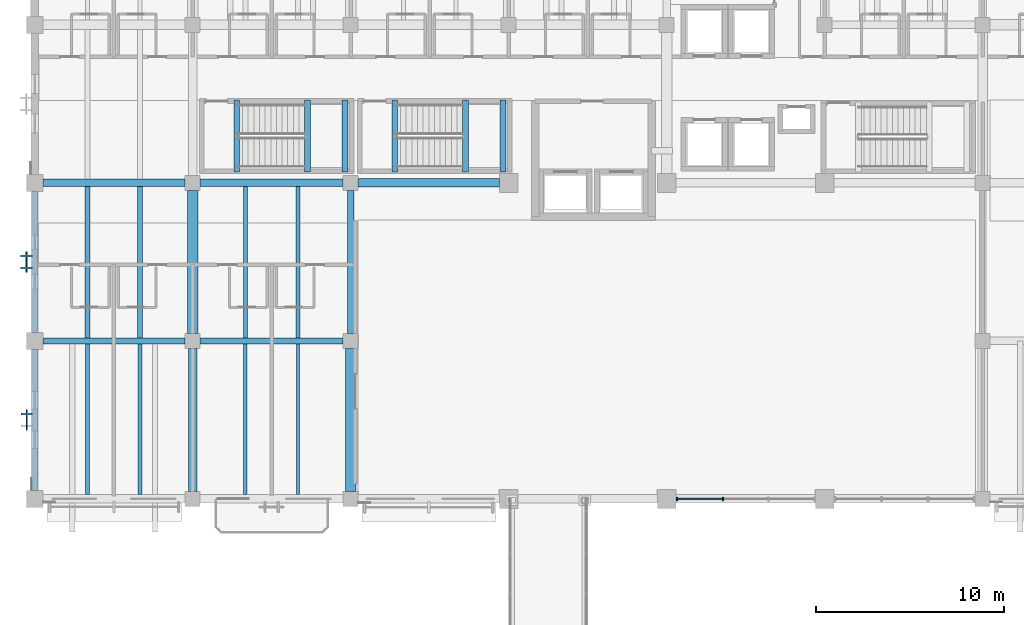
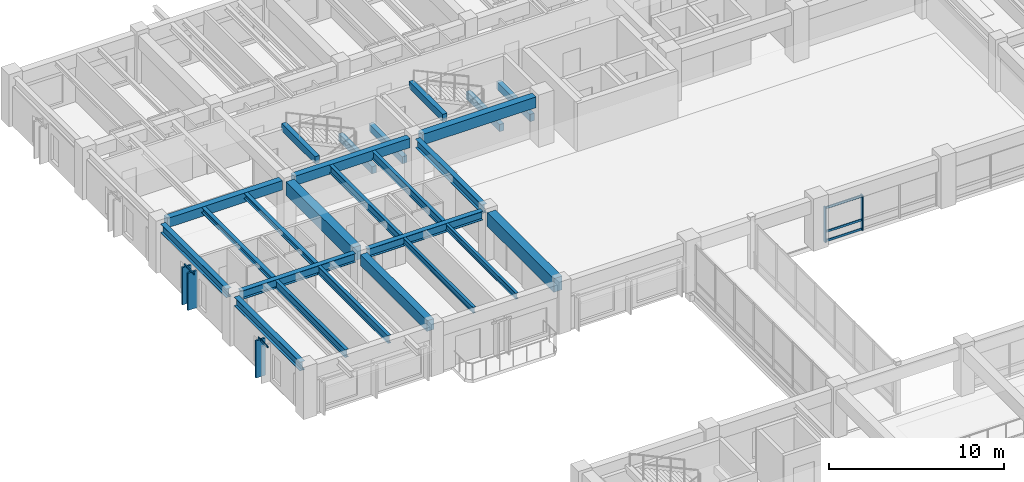
# One storey, part 29 of 118: 25 beams, 10 members, 3 elements without a shape of their own.
"""IFC4 building model written with IfcOpenShell, lengths in metres."""

from ifc_helpers import new_model, si_unit, direction, frame, origin, origin_2d, place, context, subcontext, project, spatial, rectangle, i_section, extrude, material, material_profile, profile_set, type_object, element, aggregate, save


model = new_model("IFC4")

# Units and contexts
model_context = context("Model", 3, precision=1e-05, world=origin(), true_north=direction((0.0, 1.0)))
body_context = subcontext(model_context, "Body", "Model", "MODEL_VIEW")
ifc_project = project(units=[si_unit("LENGTHUNIT", "METRE"), si_unit("AREAUNIT", "SQUARE_METRE"), si_unit("VOLUMEUNIT", "CUBIC_METRE"), si_unit("PLANEANGLEUNIT", "RADIAN"), si_unit("MASSUNIT", "GRAM", prefix="KILO")], contexts=[model_context])

# Site, building, storey
site_placement = place(None, origin())
site = spatial("IfcSite", under=ifc_project, at=site_placement, CompositionType="ELEMENT")
building_placement = place(site_placement, origin())
building = spatial("IfcBuilding", under=site, at=building_placement, Name="Cumbredor Promenade Congress Hotel", CompositionType="ELEMENT")
storey_placement = place(building_placement, frame((0.0, 0.0, 3.919921875)))
storey = spatial("IfcBuildingStorey", under=building, at=storey_placement, Name="L01", CompositionType="ELEMENT", Elevation=3.919921875)

# Beams
ifc_material_1 = material(Name="Concrete C40/50", Category="concrete")
ifc_material_profile_1 = material_profile(ifc_material_1, rectangle(XDim=0.39990234375, YDim=0.64990234375, at=origin_2d()), Name="RC BEAM 400x650")
ifc_profile_set_1 = profile_set([ifc_material_profile_1], Name="Concrete C40/50")
beam_type_1 = type_object("IfcBeamType", Name="BM-RC-400x650", PredefinedType="BEAM", material=ifc_profile_set_1)
beam_1_placement = place(storey_placement, frame((0.449951171875, 100.800048828125, 3.03515625), z_axis=(1.0, 0.0, 0.0), x_axis=(0.0, 1.0, 0.0)))
element("IfcBeam", 1, at=beam_1_placement, inside=storey, type_object=beam_type_1, Name="L02 X-Grid Beam 005", PredefinedType="BEAM", context=body_context, shape_type="SweptSolid", body=[
    extrude(rectangle(XDim=0.39990234375, YDim=0.64990234375, at=origin_2d()), origin(), (0.0, 0.0, 1.0), 7.550048828125),
])
beam_2_placement = place(storey_placement, frame((8.800048828125, 100.800048828125, 3.03515625), z_axis=(1.0, 0.0, 0.0), x_axis=(0.0, 1.0, 0.0)))
element("IfcBeam", 2, at=beam_2_placement, inside=storey, type_object=beam_type_1, Name="L02 X-Grid Beam 029", PredefinedType="BEAM", context=body_context, shape_type="SweptSolid", body=[
    extrude(rectangle(XDim=0.39990234375, YDim=0.64990234375, at=origin_2d()), origin(), (0.0, 0.0, 1.0), 7.599853515625),
])
ifc_material_profile_2 = material_profile(ifc_material_1, rectangle(XDim=0.449951171875, YDim=0.75, at=origin_2d()), Name="RC BEAM 450x750")
ifc_profile_set_2 = profile_set([ifc_material_profile_2], Name="Concrete C40/50")
beam_type_2 = type_object("IfcBeamType", Name="BM-RC-450x750", PredefinedType="BEAM", material=ifc_profile_set_2)
beam_3_placement = place(storey_placement, frame((8.39990234375, 84.39990234375, 2.985107421875), z_axis=(0.0, 1.0, 0.0), x_axis=(-1.0, 0.0, 0.0)))
element("IfcBeam", 3, at=beam_3_placement, inside=storey, type_object=beam_type_2, Name="L02 Y-Grid Beam 026", PredefinedType="BEAM", context=body_context, shape_type="SweptSolid", body=[
    extrude(rectangle(XDim=0.449951171875, YDim=0.75, at=origin_2d()), origin(), (0.0, 0.0, 1.0), 7.60009765625),
])
beam_4_placement = place(storey_placement, frame((17.199951171875, 100.800048828125, 2.985107421875), z_axis=(1.0, 0.0, 0.0), x_axis=(0.0, 1.0, 0.0)))
element("IfcBeam", 4, at=beam_4_placement, inside=storey, type_object=beam_type_2, Name="L02 X-Grid Beam 046", PredefinedType="BEAM", context=body_context, shape_type="SweptSolid", body=[
    extrude(rectangle(XDim=0.449951171875, YDim=0.75, at=origin_2d()), origin(), (0.0, 0.0, 1.0), 7.5),
])
ifc_material_profile_3 = material_profile(ifc_material_1, rectangle(XDim=0.550048828125, YDim=0.949951171875, at=origin_2d()), Name="RC BEAM 550x950")
ifc_profile_set_3 = profile_set([ifc_material_profile_3], Name="Concrete C40/50")
beam_type_3 = type_object("IfcBeamType", Name="BM-RC-550x950", PredefinedType="BEAM", material=ifc_profile_set_3)
beam_5_placement = place(storey_placement, frame((8.39990234375, 92.800048828125, 2.885009765625), z_axis=(0.0, 1.0, 0.0), x_axis=(-1.0, 0.0, 0.0)))
element("IfcBeam", 5, at=beam_5_placement, inside=storey, type_object=beam_type_3, Name="L02 Y-Grid Beam 028", PredefinedType="BEAM", context=body_context, shape_type="SweptSolid", body=[
    extrude(rectangle(XDim=0.550048828125, YDim=0.949951171875, at=origin_2d()), origin(), (0.0, 0.0, 1.0), 7.599853515625),
])
beam_6_placement = place(storey_placement, frame((16.800048828125, 84.39990234375, 2.885009765625), z_axis=(0.0, 1.0, 0.0), x_axis=(-1.0, 0.0, 0.0)))
element("IfcBeam", 6, at=beam_6_placement, inside=storey, type_object=beam_type_3, Name="L02 Y-Grid Beam 044", PredefinedType="BEAM", context=body_context, shape_type="SweptSolid", body=[
    extrude(rectangle(XDim=0.550048828125, YDim=0.949951171875, at=origin_2d()), origin(), (0.0, 0.0, 1.0), 7.60009765625),
])
ifc_material_2 = material(Name="Steel ASTM A992 Grade 50", Category="steel")
ifc_material_profile_4 = material_profile(ifc_material_2, i_section(OverallWidth=0.323974609375, OverallDepth=0.611083984375, WebThickness=0.0126953125, FlangeThickness=0.01904296875, at=origin_2d()), Name="W24X104")
ifc_profile_set_4 = profile_set([ifc_material_profile_4], Name="Steel ASTM A992 Grade 50")
beam_type_4 = type_object("IfcBeamType", Name="BM-W24X104", PredefinedType="BEAM", material=ifc_profile_set_4)
beam_7_placement = place(storey_placement, frame((0.449951171875, 92.39990234375, 3.0546875), z_axis=(1.0, 0.0, 0.0), x_axis=(0.0, 1.0, 0.0)))
element("IfcBeam", 7, at=beam_7_placement, inside=storey, type_object=beam_type_4, Name="L02 X-Grid Beam 003", PredefinedType="BEAM", context=body_context, shape_type="SweptSolid", body=[
    extrude(i_section(OverallWidth=0.323974609375, OverallDepth=0.611083984375, WebThickness=0.0126953125, FlangeThickness=0.01904296875, at=origin_2d()), origin(), (0.0, 0.0, 1.0), 7.550048828125),
])
beam_8_placement = place(storey_placement, frame((8.800048828125, 92.39990234375, 3.0546875), z_axis=(1.0, 0.0, 0.0), x_axis=(0.0, 1.0, 0.0)))
element("IfcBeam", 8, at=beam_8_placement, inside=storey, type_object=beam_type_4, Name="L02 X-Grid Beam 027", PredefinedType="BEAM", context=body_context, shape_type="SweptSolid", body=[
    extrude(i_section(OverallWidth=0.323974609375, OverallDepth=0.611083984375, WebThickness=0.0126953125, FlangeThickness=0.01904296875, at=origin_2d()), origin(), (0.0, 0.0, 1.0), 7.599853515625),
])

# Curtain wall, members
ifc_material_3 = material(Name="Thermally broken anodized aluminium and low-E glass", Category="aluminium")
curtain_wall_type_1 = type_object("IfcCurtainWallType", Name="Unitised Bronze Curtain Wall CW-01", PredefinedType="NOTDEFINED", material=ifc_material_3)
curtain_wall_1_placement = place(storey_placement, origin())
curtain_wall_1 = element("IfcCurtainWall", 9, at=curtain_wall_1_placement, inside=storey, type_object=curtain_wall_type_1, Name="L01 Stepped Congress Hotel Wing South Curtain Wall 5", PredefinedType="NOTDEFINED")
ifc_material_4 = material(Name="Thermally broken anodized aluminium", Category="aluminium")
ifc_material_profile_5 = material_profile(ifc_material_4, rectangle(XDim=0.074951171875, YDim=0.199951171875, at=origin_2d()), Name="ALU MULLION 75x200")
ifc_profile_set_5 = profile_set([ifc_material_profile_5], Name="Thermally broken anodized aluminium")
member_type_1 = type_object("IfcMemberType", Name="Curtain Wall Mullion ML-02", PredefinedType="MULLION", material=ifc_profile_set_5)
member_1_placement = place(storey_placement, frame((34.155029296875, 84.0, -0.0078125), z_axis=(0.0, 0.0, 1.0), x_axis=(1.0, 0.0, 0.0)))
member_1 = element("IfcMember", 10, at=member_1_placement, type_object=member_type_1, Name="L01 Stepped Congress Hotel Wing South Curtain Wall 5 Mullion 1", PredefinedType="MULLION", context=body_context, shape_type="SweptSolid", body=[
    extrude(rectangle(XDim=0.074951171875, YDim=0.199951171875, at=origin_2d()), origin(), (0.0, 0.0, 1.0), 2.4609375),
])
member_2_placement = place(storey_placement, frame((36.5849609375, 84.0, -0.0078125), z_axis=(0.0, 0.0, 1.0), x_axis=(1.0, 0.0, 0.0)))
member_2 = element("IfcMember", 11, at=member_2_placement, type_object=member_type_1, Name="L01 Stepped Congress Hotel Wing South Curtain Wall 5 Mullion 2", PredefinedType="MULLION", context=body_context, shape_type="SweptSolid", body=[
    extrude(rectangle(XDim=0.074951171875, YDim=0.199951171875, at=origin_2d()), origin(), (0.0, 0.0, 1.0), 2.4609375),
])

# Curtain wall, member
curtain_wall_type_2 = type_object("IfcCurtainWallType", Name="Solar Brise-Soleil Screen Assembly CW-07", PredefinedType="NOTDEFINED", material=ifc_material_3)
curtain_wall_2_placement = place(storey_placement, origin())
curtain_wall_2 = element("IfcCurtainWall", 12, at=curtain_wall_2_placement, inside=storey, type_object=curtain_wall_type_2, Name="L01 Pier Brise-Soleil Screen 0331", PredefinedType="NOTDEFINED")
ifc_material_profile_6 = material_profile(ifc_material_4, rectangle(XDim=0.06494140625, YDim=0.1298828125, at=origin_2d()), Name="ALU TRANSOM 65x130")
ifc_profile_set_6 = profile_set([ifc_material_profile_6], Name="Thermally broken anodized aluminium")
member_type_2 = type_object("IfcMemberType", Name="Curtain Wall Transom TR-01", PredefinedType="USERDEFINED", material=ifc_profile_set_6)
member_3_placement = place(storey_placement, frame((-0.422607421875, 87.64990234375, 2.573974609375), z_axis=(0.0, 1.0, 0.0), x_axis=(-1.0, 0.0, 0.0)))
member_3 = element("IfcMember", 13, at=member_3_placement, type_object=member_type_2, Name="L01 Pier Brise-Soleil Header 0333", ObjectType="TRANSOM", PredefinedType="USERDEFINED", context=body_context, shape_type="SweptSolid", body=[
    extrude(rectangle(XDim=0.06494140625, YDim=0.1298828125, at=origin_2d()), origin(), (0.0, 0.0, 1.0), 1.10009765625),
])

curtain_wall_3_placement = place(storey_placement, origin())
curtain_wall_3 = element("IfcCurtainWall", 14, at=curtain_wall_3_placement, inside=storey, type_object=curtain_wall_type_2, Name="L01 Pier Brise-Soleil Screen 0334", PredefinedType="NOTDEFINED")
member_4_placement = place(storey_placement, frame((-0.43505859375, 96.050048828125, 2.573974609375), z_axis=(0.0, 1.0, 0.0), x_axis=(-1.0, 0.0, 0.0)))
member_4 = element("IfcMember", 15, at=member_4_placement, type_object=member_type_2, Name="L01 Pier Brise-Soleil Header 0336", ObjectType="TRANSOM", PredefinedType="USERDEFINED", context=body_context, shape_type="SweptSolid", body=[
    extrude(rectangle(XDim=0.06494140625, YDim=0.1298828125, at=origin_2d()), origin(), (0.0, 0.0, 1.0), 1.099853515625),
])

# Member
ifc_material_profile_7 = material_profile(ifc_material_4, rectangle(XDim=0.074951171875, YDim=0.14990234375, at=origin_2d()), Name="ALU TRANSOM 75x150")
ifc_profile_set_7 = profile_set([ifc_material_profile_7], Name="Thermally broken anodized aluminium")
member_type_3 = type_object("IfcMemberType", Name="Curtain Wall Transom TR-02", PredefinedType="USERDEFINED", material=ifc_profile_set_7)
member_5_placement = place(storey_placement, frame((34.1923828125, 84.0, 0.080078125), z_axis=(1.0, 0.0, 0.0), x_axis=(0.0, 1.0, 0.0)))
member_5 = element("IfcMember", 16, at=member_5_placement, type_object=member_type_3, Name="L01 Stepped Congress Hotel Wing South Curtain Wall 5 Transom 1.1", ObjectType="TRANSOM", PredefinedType="USERDEFINED", context=body_context, shape_type="SweptSolid", body=[
    extrude(rectangle(XDim=0.074951171875, YDim=0.14990234375, at=origin_2d()), origin(), (0.0, 0.0, 1.0), 2.355224609375),
])

member_6_placement = place(storey_placement, frame((34.1923828125, 84.0, 0.719970703125), z_axis=(1.0, 0.0, 0.0), x_axis=(0.0, 1.0, 0.0)))
member_6 = element("IfcMember", 17, at=member_6_placement, type_object=member_type_3, Name="L01 Stepped Congress Hotel Wing South Curtain Wall 5 Transom 1.2", ObjectType="TRANSOM", PredefinedType="USERDEFINED", context=body_context, shape_type="SweptSolid", body=[
    extrude(rectangle(XDim=0.074951171875, YDim=0.14990234375, at=origin_2d()), origin(), (0.0, 0.0, 1.0), 2.355224609375),
])

member_7_placement = place(storey_placement, frame((34.1923828125, 84.0, 2.3701171875), z_axis=(1.0, 0.0, 0.0), x_axis=(0.0, 1.0, 0.0)))
member_7 = element("IfcMember", 18, at=member_7_placement, type_object=member_type_3, Name="L01 Stepped Congress Hotel Wing South Curtain Wall 5 Transom 1.3", ObjectType="TRANSOM", PredefinedType="USERDEFINED", context=body_context, shape_type="SweptSolid", body=[
    extrude(rectangle(XDim=0.074951171875, YDim=0.14990234375, at=origin_2d()), origin(), (0.0, 0.0, 1.0), 2.355224609375),
])

aggregate(curtain_wall_1, [member_1, member_2, member_5, member_6, member_7])

# Beams
ifc_material_profile_8 = material_profile(ifc_material_2, i_section(OverallWidth=0.2548828125, OverallDepth=0.35693359375, WebThickness=0.010498046875, FlangeThickness=0.018310546875, at=origin_2d()), Name="W14X68")
ifc_profile_set_8 = profile_set([ifc_material_profile_8], Name="Steel ASTM A992 Grade 50")
beam_type_5 = type_object("IfcBeamType", Name="JST-W14X68", PredefinedType="JOIST", material=ifc_profile_set_8)
for number, where, z_axis, x_axis, name in (
    (19, (2.800048828125, 92.56201171875, 3.181640625), (0.0, 1.0, 0.0), (-1.0, 0.0, 0.0), "L02 Secondary Floor Joist 0003"),
    (20, (5.60009765625, 92.56201171875, 3.181640625), (0.0, 1.0, 0.0), (-1.0, 0.0, 0.0), "L02 Secondary Floor Joist 0004"),
):
    element("IfcBeam", number, at=place(storey_placement, frame(where, z_axis=z_axis, x_axis=x_axis)), inside=storey, type_object=beam_type_5, Name=name, PredefinedType="JOIST", context=body_context, shape_type="SweptSolid", body=[
        extrude(i_section(OverallWidth=0.2548828125, OverallDepth=0.35693359375, WebThickness=0.010498046875, FlangeThickness=0.018310546875, at=origin_2d()), origin(), (0.0, 0.0, 1.0), 8.0380859375),
    ])
ifc_material_profile_9 = material_profile(ifc_material_2, i_section(OverallWidth=0.180908203125, OverallDepth=0.4169921875, WebThickness=0.010986328125, FlangeThickness=0.018310546875, at=origin_2d()), Name="W16X57")
ifc_profile_set_9 = profile_set([ifc_material_profile_9], Name="Steel ASTM A992 Grade 50")
beam_type_6 = type_object("IfcBeamType", Name="JST-W16X57", PredefinedType="JOIST", material=ifc_profile_set_9)
for number, where, z_axis, x_axis, name in (
    (21, (11.199951171875, 84.22509765625, 3.151611328125), (0.0, 1.0, 0.0), (-1.0, 0.0, 0.0), "L02 Secondary Floor Joist 0019"),
    (22, (14.0, 84.22509765625, 3.151611328125), (0.0, 1.0, 0.0), (-1.0, 0.0, 0.0), "L02 Secondary Floor Joist 0020"),
):
    element("IfcBeam", number, at=place(storey_placement, frame(where, z_axis=z_axis, x_axis=x_axis)), inside=storey, type_object=beam_type_6, Name=name, PredefinedType="JOIST", context=body_context, shape_type="SweptSolid", body=[
        extrude(i_section(OverallWidth=0.180908203125, OverallDepth=0.4169921875, WebThickness=0.010986328125, FlangeThickness=0.018310546875, at=origin_2d()), origin(), (0.0, 0.0, 1.0), 8.012939453125),
    ])
ifc_material_profile_10 = material_profile(ifc_material_2, i_section(OverallWidth=0.214111328125, OverallDepth=0.549072265625, WebThickness=0.0146484375, FlangeThickness=0.023681640625, at=origin_2d()), Name="W21X93")
ifc_profile_set_10 = profile_set([ifc_material_profile_10], Name="Steel ASTM A992 Grade 50")
beam_type_7 = type_object("IfcBeamType", Name="JST-W21X93", PredefinedType="JOIST", material=ifc_profile_set_10)
for number, where, z_axis, x_axis, name in (
    (23, (2.800048828125, 84.22509765625, 3.085693359375), (0.0, 1.0, 0.0), (-1.0, 0.0, 0.0), "L02 Secondary Floor Joist 0001"),
    (24, (5.60009765625, 84.22509765625, 3.085693359375), (0.0, 1.0, 0.0), (-1.0, 0.0, 0.0), "L02 Secondary Floor Joist 0002"),
):
    element("IfcBeam", number, at=place(storey_placement, frame(where, z_axis=z_axis, x_axis=x_axis)), inside=storey, type_object=beam_type_7, Name=name, PredefinedType="JOIST", context=body_context, shape_type="SweptSolid", body=[
        extrude(i_section(OverallWidth=0.214111328125, OverallDepth=0.549072265625, WebThickness=0.0146484375, FlangeThickness=0.023681640625, at=origin_2d()), origin(), (0.0, 0.0, 1.0), 8.012939453125),
    ])
for number, where, z_axis, x_axis, name in (
    (25, (11.199951171875, 92.56201171875, 3.085693359375), (0.0, 1.0, 0.0), (-1.0, 0.0, 0.0), "L02 Secondary Floor Joist 0021"),
    (26, (14.0, 92.56201171875, 3.085693359375), (0.0, 1.0, 0.0), (-1.0, 0.0, 0.0), "L02 Secondary Floor Joist 0022"),
):
    element("IfcBeam", number, at=place(storey_placement, frame(where, z_axis=z_axis, x_axis=x_axis)), inside=storey, type_object=beam_type_7, Name=name, PredefinedType="JOIST", context=body_context, shape_type="SweptSolid", body=[
        extrude(i_section(OverallWidth=0.214111328125, OverallDepth=0.549072265625, WebThickness=0.0146484375, FlangeThickness=0.023681640625, at=origin_2d()), origin(), (0.0, 0.0, 1.0), 8.0380859375),
    ])
ifc_material_profile_11 = material_profile(ifc_material_1, rectangle(XDim=0.300048828125, YDim=0.5, at=origin_2d()), Name="RC LINTEL 300x500")
ifc_profile_set_11 = profile_set([ifc_material_profile_11], Name="Concrete C40/50")
beam_type_8 = type_object("IfcBeamType", Name="LN-RC-300x500", PredefinedType="LINTEL", material=ifc_profile_set_11)
for number, where, z_axis, x_axis, name in (
    (27, (16.5, 101.3701171875, 1.3701171875), (0.0, 1.0, 0.0), (-1.0, 0.0, 0.0), "L01 Stair ST-01 Landing Ledger Beam E"),
    (28, (14.5, 101.3701171875, 1.3701171875), (0.0, 1.0, 0.0), (-1.0, 0.0, 0.0), "L01 Stair ST-01 Landing Ledger Beam W"),
    (29, (10.75, 101.3701171875, 3.39013671875), (0.0, 1.0, 0.0), (-1.0, 0.0, 0.0), "L02 Stair ST-01 Well Header Trimmer Beam"),
    (30, (24.89990234375, 101.3701171875, 1.3701171875), (0.0, 1.0, 0.0), (-1.0, 0.0, 0.0), "L01 Stair ST-02 Landing Ledger Beam E"),
    (31, (22.89990234375, 101.3701171875, 1.3701171875), (0.0, 1.0, 0.0), (-1.0, 0.0, 0.0), "L01 Stair ST-02 Landing Ledger Beam W"),
    (32, (19.14990234375, 101.3701171875, 3.39013671875), (0.0, 1.0, 0.0), (-1.0, 0.0, 0.0), "L02 Stair ST-02 Well Header Trimmer Beam"),
):
    element("IfcBeam", number, at=place(storey_placement, frame(where, z_axis=z_axis, x_axis=x_axis)), inside=storey, type_object=beam_type_8, Name=name, PredefinedType="LINTEL", context=body_context, shape_type="SweptSolid", body=[
        extrude(rectangle(XDim=0.300048828125, YDim=0.5, at=origin_2d()), origin(), (0.0, 0.0, 1.0), 3.829833984375),
    ])
ifc_material_profile_12 = material_profile(ifc_material_2, i_section(OverallWidth=0.323974609375, OverallDepth=0.611083984375, WebThickness=0.0126953125, FlangeThickness=0.01904296875, at=origin_2d()), Name="W24X104")
ifc_profile_set_12 = profile_set([ifc_material_profile_12], Name="Steel ASTM A992 Grade 50")
beam_type_9 = type_object("IfcBeamType", Name="SP-W24X104", PredefinedType="SPANDREL", material=ifc_profile_set_12)
for number, where, z_axis, x_axis, name in (
    (33, (0.0, 84.449951171875, 3.0546875), (0.0, 1.0, 0.0), (-1.0, 0.0, 0.0), "L02 Y-Grid Beam 002"),
    (34, (0.0, 92.85009765625, 3.0546875), (0.0, 1.0, 0.0), (-1.0, 0.0, 0.0), "L02 Y-Grid Beam 004"),
):
    element("IfcBeam", number, at=place(storey_placement, frame(where, z_axis=z_axis, x_axis=x_axis)), inside=storey, type_object=beam_type_9, Name=name, PredefinedType="SPANDREL", context=body_context, shape_type="SweptSolid", body=[
        extrude(i_section(OverallWidth=0.323974609375, OverallDepth=0.611083984375, WebThickness=0.0126953125, FlangeThickness=0.01904296875, at=origin_2d()), origin(), (0.0, 0.0, 1.0), 7.5),
    ])
beam_9_placement = place(storey_placement, frame((16.800048828125, 92.800048828125, 3.0546875), z_axis=(0.0, 1.0, 0.0), x_axis=(-1.0, 0.0, 0.0)))
element("IfcBeam", 35, at=beam_9_placement, inside=storey, type_object=beam_type_9, Name="L02 Y-Grid Beam 045", PredefinedType="SPANDREL", context=body_context, shape_type="SweptSolid", body=[
    extrude(i_section(OverallWidth=0.323974609375, OverallDepth=0.611083984375, WebThickness=0.0126953125, FlangeThickness=0.01904296875, at=origin_2d()), origin(), (0.0, 0.0, 1.0), 7.599853515625),
])

# Member
ifc_material_profile_13 = material_profile(ifc_material_4, rectangle(XDim=0.110107421875, YDim=0.6201171875, at=origin_2d()), Name="ARCH FIN 110x620")
ifc_profile_set_13 = profile_set([ifc_material_profile_13], Name="Thermally broken anodized aluminium")
member_type_4 = type_object("IfcMemberType", Name="Vertical Bronze Brise-Soleil Fin BSF-02 110x620", PredefinedType="USERDEFINED", material=ifc_profile_set_13)
member_8_placement = place(storey_placement, frame((-0.422607421875, 88.52001953125, 0.02001953125), z_axis=(0.0, 0.0, 1.0), x_axis=(0.0, 1.0, 0.0)))
member_8 = element("IfcMember", 36, at=member_8_placement, type_object=member_type_4, Name="L01 Pier Brise-Soleil Fin 0333", ObjectType="SOLAR FIN", PredefinedType="USERDEFINED", context=body_context, shape_type="SweptSolid", body=[
    extrude(rectangle(XDim=0.110107421875, YDim=0.6201171875, at=origin_2d()), origin(), (0.0, 0.0, 1.0), 2.593994140625),
])

aggregate(curtain_wall_2, [member_8, member_3])

member_9_placement = place(storey_placement, frame((-0.43505859375, 96.280029296875, 0.02001953125), z_axis=(0.0, 0.0, 1.0), x_axis=(0.0, 1.0, 0.0)))
member_9 = element("IfcMember", 37, at=member_9_placement, type_object=member_type_4, Name="L01 Pier Brise-Soleil Fin 0335", ObjectType="SOLAR FIN", PredefinedType="USERDEFINED", context=body_context, shape_type="SweptSolid", body=[
    extrude(rectangle(XDim=0.110107421875, YDim=0.6201171875, at=origin_2d()), origin(), (0.0, 0.0, 1.0), 2.593994140625),
])

member_10_placement = place(storey_placement, frame((-0.43505859375, 96.919921875, 0.02001953125), z_axis=(0.0, 0.0, 1.0), x_axis=(0.0, 1.0, 0.0)))
member_10 = element("IfcMember", 38, at=member_10_placement, type_object=member_type_4, Name="L01 Pier Brise-Soleil Fin 0336", ObjectType="SOLAR FIN", PredefinedType="USERDEFINED", context=body_context, shape_type="SweptSolid", body=[
    extrude(rectangle(XDim=0.110107421875, YDim=0.6201171875, at=origin_2d()), origin(), (0.0, 0.0, 1.0), 2.593994140625),
])

aggregate(curtain_wall_3, [member_9, member_10, member_4])

save(model, "model.ifc")
